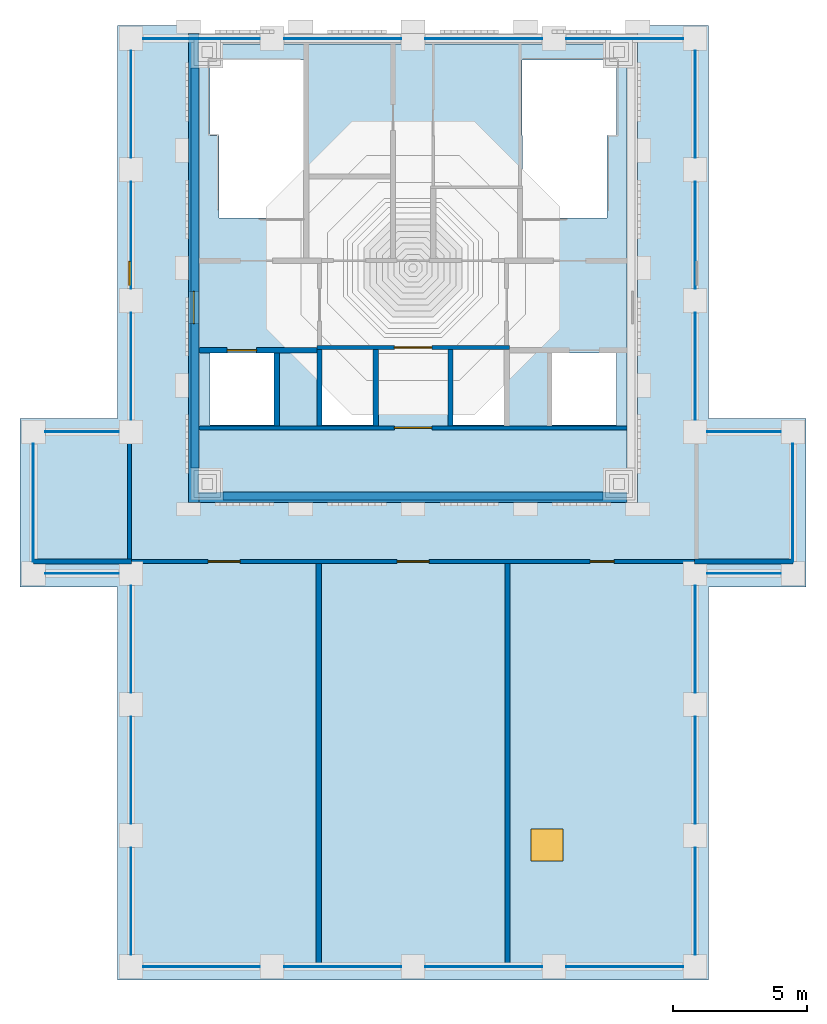
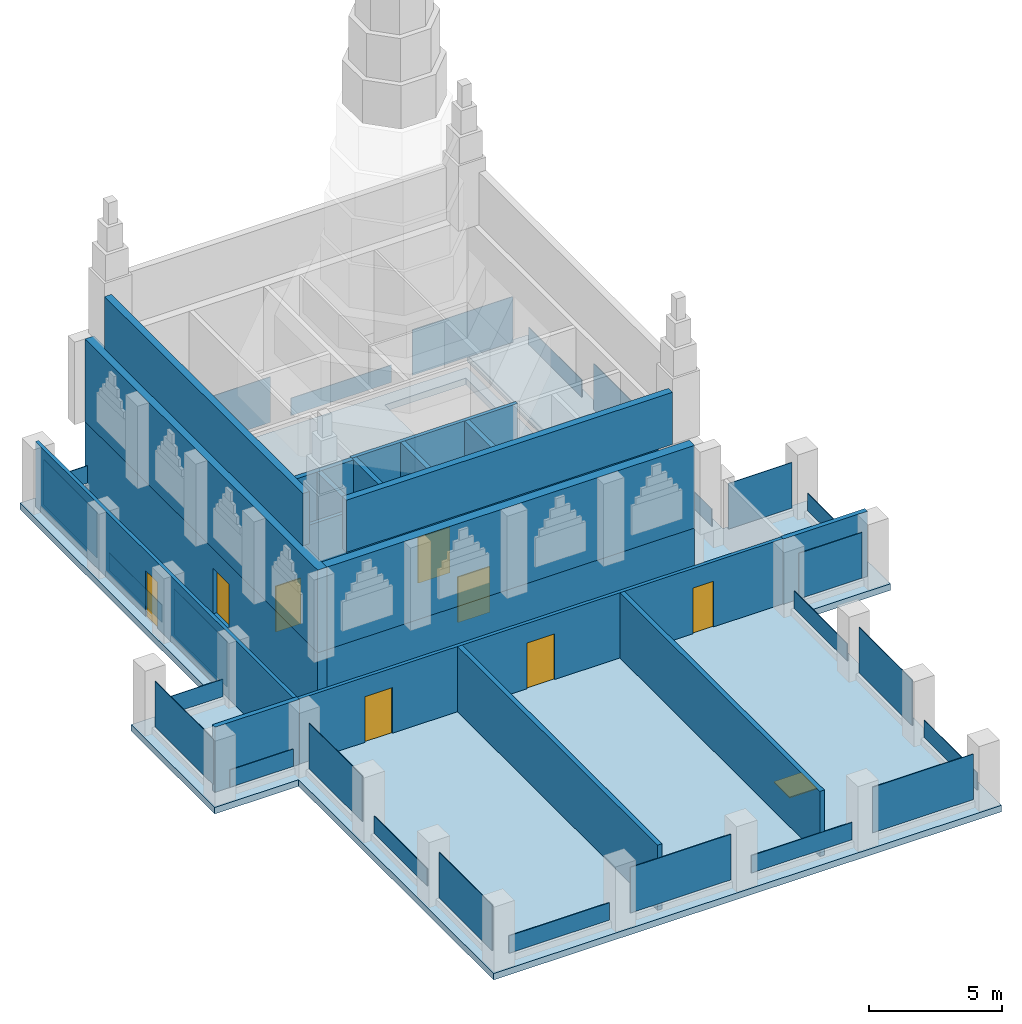
# One storey, part 1 of 6: 26 plates, 19 walls, 8 doors, 2 slabs, 1 window, 9 openings.
"""IFC4 building model written with IfcOpenShell, lengths in metres."""

from ifc_helpers import new_model, si_unit, direction, frame, frame_2d, origin, origin_2d, place, context, subcontext, project, spatial, polyline, rectangle, outline, extrude, material, layer, layer_set, type_object, element, fill, save


model = new_model("IFC4")

# Units and contexts
model_context = context("Model", 3, precision=1e-05, world=origin(), true_north=direction((0.0, 1.0)))
body_context = subcontext(model_context, "Body", "Model", "MODEL_VIEW")
ifc_project = project(units=[si_unit("LENGTHUNIT", "METRE"), si_unit("AREAUNIT", "SQUARE_METRE"), si_unit("VOLUMEUNIT", "CUBIC_METRE"), si_unit("PLANEANGLEUNIT", "RADIAN"), si_unit("MASSUNIT", "GRAM", prefix="KILO")], contexts=[model_context])

# Site, building, storey
site_placement = place(None, origin())
site = spatial("IfcSite", under=ifc_project, at=site_placement, CompositionType="ELEMENT")
building_placement = place(site_placement, origin())
building = spatial("IfcBuilding", under=site, at=building_placement, Name="Vermilion Ogive Tower", CompositionType="ELEMENT")
storey_placement = place(building_placement, frame((0.0, 0.0, 302.85009765625)))
storey = spatial("IfcBuildingStorey", under=building, at=storey_placement, Name="RF", CompositionType="ELEMENT", Elevation=302.85009765625)

# Slab
ifc_material_1 = material(Name="Concrete B40", Category="concrete")
ifc_layer_1 = layer(ifc_material_1, 0.300048828125)
ifc_layer_set_1 = layer_set([ifc_layer_1], Name="Core floor slab 300 B40")
slab_type_1 = type_object("IfcSlabType", Name="Core floor slab 300 B40", PredefinedType="FLOOR", material=ifc_layer_set_1)
slab_1_placement = place(storey_placement, frame((0.0, 0.0, -0.300048828125)))
element("IfcSlab", 1, at=slab_1_placement, inside=storey, type_object=slab_type_1, Name="RF-CK-FS1", PredefinedType="FLOOR", context=body_context, shape_type="SweptSolid", body=[
    extrude(outline(polyline([(7.99609375, 21.345947265625), (-7.99609375, 21.345947265625), (-7.99609375, 4.60400390625), (7.99609375, 4.60400390625), (7.99609375, 21.345947265625)]), holes=[polyline([(-7.60009765625, 9.800048828125), (-5.199951171875, 9.800048828125), (-5.199951171875, 7.10009765625), (-7.60009765625, 7.10009765625), (-7.60009765625, 9.800048828125)]), polyline([(5.199951171875, 9.800048828125), (7.60009765625, 9.800048828125), (7.60009765625, 7.10009765625), (5.199951171875, 7.10009765625), (5.199951171875, 9.800048828125)]), polyline([(-3.39990234375, 9.89990234375), (-1.5, 9.89990234375), (-1.5, 7.10009765625), (-3.39990234375, 7.10009765625), (-3.39990234375, 9.89990234375)]), polyline([(1.5, 9.89990234375), (3.39990234375, 9.89990234375), (3.39990234375, 7.10009765625), (1.5, 7.10009765625), (1.5, 9.89990234375)]), polyline([(0.85009765625, 15.89990234375), (3.89990234375, 15.89990234375), (3.89990234375, 13.35009765625), (0.85009765625, 13.35009765625), (0.85009765625, 15.89990234375)]), polyline([(-3.89990234375, 16.300048828125), (-0.85009765625, 16.300048828125), (-0.85009765625, 13.35009765625), (-3.89990234375, 13.35009765625), (-3.89990234375, 16.300048828125)]), polyline([(-4.10009765625, 20.75), (-4.10009765625, 14.85009765625), (-5.75, 14.85009765625), (-5.75, 14.85205078125), (-7.25, 14.85205078125), (-7.25, 17.929931640625), (-7.60009765625, 17.929931640625), (-7.60009765625, 20.75), (-4.10009765625, 20.75)]), polyline([(7.25, 17.929931640625), (7.25, 14.85205078125), (5.75, 14.85205078125), (5.75, 14.85009765625), (4.10009765625, 14.85009765625), (4.10009765625, 17.929931640625), (4.074951171875, 17.929931640625), (4.074951171875, 20.75), (7.60009765625, 20.75), (7.60009765625, 17.929931640625), (7.25, 17.929931640625)])]), origin(), (0.0, 0.0, 1.0), 0.300048828125),
])

# Plates
ifc_material_2 = material(Name="Laminated glass", Category="glass")
ifc_layer_2 = layer(ifc_material_2, 0.030029296875)
ifc_layer_set_2 = layer_set([ifc_layer_2], Name="Parapet glass plate 1100")
plate_type_1 = type_object("IfcPlateType", Name="Parapet glass plate 1100", PredefinedType="SHEET", material=ifc_layer_set_2)
plate_1_placement = place(storey_placement, frame((-10.550048828125, -5.800048828125, 0.2998046875), z_axis=(0.0, 0.0, 1.0), x_axis=(0.0, 1.0, 0.0)))
element("IfcPlate", 2, at=plate_1_placement, inside=storey, type_object=plate_type_1, Name="Parapet glass plate 1.2A", PredefinedType="SHEET", context=body_context, shape_type="SweptSolid", body=[
    extrude(rectangle(XDim=4.0, YDim=0.030029296875, at=origin_2d()), origin(), (0.0, 0.0, 1.0), 0.800048828125),
])
for number, where, z_axis, x_axis, name in (
    (3, (-12.375, 1.550048828125, 0.2998046875), (0.0, 0.0, 1.0), (-1.0, 0.0, 0.0), "Parapet glass plate 2.1A"),
    (4, (-12.375, 6.85009765625, 0.2998046875), (0.0, 0.0, 1.0), (1.0, 0.0, 0.0), "Parapet glass plate 4.1A"),
):
    element("IfcPlate", number, at=place(storey_placement, frame(where, z_axis=z_axis, x_axis=x_axis)), inside=storey, type_object=plate_type_1, Name=name, PredefinedType="SHEET", context=body_context, shape_type="SweptSolid", body=[
        extrude(rectangle(XDim=2.75, YDim=0.030029296875, at=origin_2d()), origin(), (0.0, 0.0, 1.0), 0.800048828125),
    ])
plate_2_placement = place(storey_placement, frame((-10.550048828125, 14.199951171875, 0.2998046875), z_axis=(0.0, 0.0, 1.0), x_axis=(0.0, 1.0, 0.0)))
element("IfcPlate", 5, at=plate_2_placement, inside=storey, type_object=plate_type_1, Name="Parapet glass plate 5.2A", PredefinedType="SHEET", context=body_context, shape_type="SweptSolid", body=[
    extrude(rectangle(XDim=4.0, YDim=0.030029296875, at=origin_2d()), origin(), (0.0, 0.0, 1.0), 0.800048828125),
])
for number, where, z_axis, x_axis, name in (
    (6, (-7.91259765625, 21.550048828125, 0.2998046875), (0.0, 0.0, 1.0), (1.0, 0.0, 0.0), "Parapet glass plate 6.1A"),
    (7, (2.637451171875, 21.550048828125, 0.2998046875), (0.0, 0.0, 1.0), (1.0, 0.0, 0.0), "Parapet glass plate 6.3A"),
):
    element("IfcPlate", number, at=place(storey_placement, frame(where, z_axis=z_axis, x_axis=x_axis)), inside=storey, type_object=plate_type_1, Name=name, PredefinedType="SHEET", context=body_context, shape_type="SweptSolid", body=[
        extrude(rectangle(XDim=4.375, YDim=0.030029296875, at=origin_2d()), origin(), (0.0, 0.0, 1.0), 0.800048828125),
    ])
for number, where, z_axis, x_axis, name in (
    (8, (10.550048828125, 19.10009765625, 0.2998046875), (0.0, 0.0, 1.0), (0.0, -1.0, 0.0), "Parapet glass plate 7.1A"),
    (9, (10.550048828125, 9.300048828125, 0.2998046875), (0.0, 0.0, 1.0), (0.0, -1.0, 0.0), "Parapet glass plate 7.3A"),
):
    element("IfcPlate", number, at=place(storey_placement, frame(where, z_axis=z_axis, x_axis=x_axis)), inside=storey, type_object=plate_type_1, Name=name, PredefinedType="SHEET", context=body_context, shape_type="SweptSolid", body=[
        extrude(rectangle(XDim=4.0, YDim=0.030029296875, at=origin_2d()), origin(), (0.0, 0.0, 1.0), 0.800048828125),
    ])
plate_3_placement = place(storey_placement, frame((14.199951171875, 4.199951171875, 0.2998046875), z_axis=(0.0, 0.0, 1.0), x_axis=(0.0, -1.0, 0.0)))
element("IfcPlate", 10, at=plate_3_placement, inside=storey, type_object=plate_type_1, Name="Parapet glass plate 9.1A", PredefinedType="SHEET", context=body_context, shape_type="SweptSolid", body=[
    extrude(rectangle(XDim=4.39990234375, YDim=0.030029296875, at=origin_2d()), origin(), (0.0, 0.0, 1.0), 0.800048828125),
])
for number, where, z_axis, x_axis, name in (
    (11, (10.550048828125, -0.89990234375, 0.2998046875), (0.0, 0.0, 1.0), (0.0, -1.0, 0.0), "Parapet glass plate 11.1A"),
    (12, (10.550048828125, -10.699951171875, 0.2998046875), (0.0, 0.0, 1.0), (0.0, -1.0, 0.0), "Parapet glass plate 11.3A"),
):
    element("IfcPlate", number, at=place(storey_placement, frame(where, z_axis=z_axis, x_axis=x_axis)), inside=storey, type_object=plate_type_1, Name=name, PredefinedType="SHEET", context=body_context, shape_type="SweptSolid", body=[
        extrude(rectangle(XDim=4.0, YDim=0.030029296875, at=origin_2d()), origin(), (0.0, 0.0, 1.0), 0.800048828125),
    ])
for number, where, z_axis, x_axis, name in (
    (13, (2.637451171875, -13.14990234375, 0.2998046875), (0.0, 0.0, 1.0), (-1.0, 0.0, 0.0), "Parapet glass plate 12.2A"),
    (14, (-7.91259765625, -13.14990234375, 0.2998046875), (0.0, 0.0, 1.0), (-1.0, 0.0, 0.0), "Parapet glass plate 12.4A"),
):
    element("IfcPlate", number, at=place(storey_placement, frame(where, z_axis=z_axis, x_axis=x_axis)), inside=storey, type_object=plate_type_1, Name=name, PredefinedType="SHEET", context=body_context, shape_type="SweptSolid", body=[
        extrude(rectangle(XDim=4.375, YDim=0.030029296875, at=origin_2d()), origin(), (0.0, 0.0, 1.0), 0.800048828125),
    ])
ifc_material_3 = material(Name="Laminated glass", Category="glass")
ifc_layer_3 = layer(ifc_material_3, 0.030029296875)
ifc_layer_set_3 = layer_set([ifc_layer_3], Name="Parapet glass plate 2400")
plate_type_2 = type_object("IfcPlateType", Name="Parapet glass plate 2400", PredefinedType="SHEET", material=ifc_layer_set_3)
for number, where, z_axis, x_axis, name in (
    (15, (-10.550048828125, -10.699951171875, 0.2998046875), (0.0, 0.0, 1.0), (0.0, 1.0, 0.0), "Parapet glass plate 1.1A"),
    (16, (-10.550048828125, -0.89990234375, 0.2998046875), (0.0, 0.0, 1.0), (0.0, 1.0, 0.0), "Parapet glass plate 1.3A"),
):
    element("IfcPlate", number, at=place(storey_placement, frame(where, z_axis=z_axis, x_axis=x_axis)), inside=storey, type_object=plate_type_2, Name=name, PredefinedType="SHEET", context=body_context, shape_type="SweptSolid", body=[
        extrude(rectangle(XDim=4.0, YDim=0.030029296875, at=origin_2d()), origin(), (0.0, 0.0, 1.0), 2.10009765625),
    ])
plate_4_placement = place(storey_placement, frame((-14.199951171875, 4.199951171875, 0.2998046875), z_axis=(0.0, 0.0, 1.0), x_axis=(0.0, 1.0, 0.0)))
element("IfcPlate", 17, at=plate_4_placement, inside=storey, type_object=plate_type_2, Name="Parapet glass plate 3.1A", PredefinedType="SHEET", context=body_context, shape_type="SweptSolid", body=[
    extrude(rectangle(XDim=4.39990234375, YDim=0.030029296875, at=origin_2d()), origin(), (0.0, 0.0, 1.0), 2.10009765625),
])
for number, where, z_axis, x_axis, name in (
    (18, (-10.550048828125, 9.300048828125, 0.2998046875), (0.0, 0.0, 1.0), (0.0, 1.0, 0.0), "Parapet glass plate 5.1A"),
    (19, (-10.550048828125, 19.10009765625, 0.2998046875), (0.0, 0.0, 1.0), (0.0, 1.0, 0.0), "Parapet glass plate 5.3A"),
):
    element("IfcPlate", number, at=place(storey_placement, frame(where, z_axis=z_axis, x_axis=x_axis)), inside=storey, type_object=plate_type_2, Name=name, PredefinedType="SHEET", context=body_context, shape_type="SweptSolid", body=[
        extrude(rectangle(XDim=4.0, YDim=0.030029296875, at=origin_2d()), origin(), (0.0, 0.0, 1.0), 2.10009765625),
    ])
for number, where, z_axis, x_axis, name in (
    (20, (-2.637451171875, 21.550048828125, 0.2998046875), (0.0, 0.0, 1.0), (1.0, 0.0, 0.0), "Parapet glass plate 6.2A"),
    (21, (7.91259765625, 21.550048828125, 0.2998046875), (0.0, 0.0, 1.0), (1.0, 0.0, 0.0), "Parapet glass plate 6.4A"),
):
    element("IfcPlate", number, at=place(storey_placement, frame(where, z_axis=z_axis, x_axis=x_axis)), inside=storey, type_object=plate_type_2, Name=name, PredefinedType="SHEET", context=body_context, shape_type="SweptSolid", body=[
        extrude(rectangle(XDim=4.375, YDim=0.030029296875, at=origin_2d()), origin(), (0.0, 0.0, 1.0), 2.10009765625),
    ])
plate_5_placement = place(storey_placement, frame((10.550048828125, 14.199951171875, 0.2998046875), z_axis=(0.0, 0.0, 1.0), x_axis=(0.0, -1.0, 0.0)))
element("IfcPlate", 22, at=plate_5_placement, inside=storey, type_object=plate_type_2, Name="Parapet glass plate 7.2A", PredefinedType="SHEET", context=body_context, shape_type="SweptSolid", body=[
    extrude(rectangle(XDim=4.0, YDim=0.030029296875, at=origin_2d()), origin(), (0.0, 0.0, 1.0), 2.10009765625),
])
for number, where, z_axis, x_axis, name in (
    (23, (12.375, 6.85009765625, 0.2998046875), (0.0, 0.0, 1.0), (1.0, 0.0, 0.0), "Parapet glass plate 8.1A"),
    (24, (12.375, 1.550048828125, 0.2998046875), (0.0, 0.0, 1.0), (-1.0, 0.0, 0.0), "Parapet glass plate 10.1A"),
):
    element("IfcPlate", number, at=place(storey_placement, frame(where, z_axis=z_axis, x_axis=x_axis)), inside=storey, type_object=plate_type_2, Name=name, PredefinedType="SHEET", context=body_context, shape_type="SweptSolid", body=[
        extrude(rectangle(XDim=2.75, YDim=0.030029296875, at=origin_2d()), origin(), (0.0, 0.0, 1.0), 2.10009765625),
    ])
plate_6_placement = place(storey_placement, frame((10.550048828125, -5.800048828125, 0.2998046875), z_axis=(0.0, 0.0, 1.0), x_axis=(0.0, -1.0, 0.0)))
element("IfcPlate", 25, at=plate_6_placement, inside=storey, type_object=plate_type_2, Name="Parapet glass plate 11.2A", PredefinedType="SHEET", context=body_context, shape_type="SweptSolid", body=[
    extrude(rectangle(XDim=4.0, YDim=0.030029296875, at=origin_2d()), origin(), (0.0, 0.0, 1.0), 2.10009765625),
])
for number, where, z_axis, x_axis, name in (
    (26, (7.91259765625, -13.14990234375, 0.2998046875), (0.0, 0.0, 1.0), (-1.0, 0.0, 0.0), "Parapet glass plate 12.1A"),
    (27, (-2.637451171875, -13.14990234375, 0.2998046875), (0.0, 0.0, 1.0), (-1.0, 0.0, 0.0), "Parapet glass plate 12.3A"),
):
    element("IfcPlate", number, at=place(storey_placement, frame(where, z_axis=z_axis, x_axis=x_axis)), inside=storey, type_object=plate_type_2, Name=name, PredefinedType="SHEET", context=body_context, shape_type="SweptSolid", body=[
        extrude(rectangle(XDim=4.375, YDim=0.030029296875, at=origin_2d()), origin(), (0.0, 0.0, 1.0), 2.10009765625),
    ])

# Slab, opening, window
ifc_material_4 = material(Name="Concrete B40", Category="concrete")
ifc_layer_4 = layer(ifc_material_4, 0.300048828125)
ifc_layer_set_4 = layer_set([ifc_layer_4], Name="Roof slab 300")
slab_type_2 = type_object("IfcSlabType", Name="Roof slab 300", PredefinedType="ROOF", material=ifc_layer_set_4)
slab_2_placement = place(storey_placement, frame((0.0, 0.0, -0.300048828125)))
slab_2 = element("IfcSlab", 28, at=slab_2_placement, inside=storey, type_object=slab_type_2, Name="RF-SL-1", PredefinedType="ROOF", context=body_context, shape_type="SweptSolid", body=[
    extrude(outline(polyline([(-11.050048828125, 1.050048828125), (-14.699951171875, 1.050048828125), (-14.699951171875, 7.35009765625), (-11.050048828125, 7.35009765625), (-11.050048828125, 22.050048828125), (-8.39990234375, 22.050048828125), (-8.39990234375, 4.199951171875), (8.39990234375, 4.199951171875), (8.39990234375, 22.050048828125), (11.050048828125, 22.050048828125), (11.050048828125, 7.35009765625), (14.699951171875, 7.35009765625), (14.699951171875, 1.050048828125), (11.050048828125, 1.050048828125), (11.050048828125, -13.64990234375), (-11.050048828125, -13.64990234375), (-11.050048828125, 1.050048828125)])), origin(), (0.0, 0.0, 1.0), 0.300048828125),
])
opening_1_placement = place(slab_2_placement, frame((5.0, -8.60009765625, 0.0)))
opening_1 = element("IfcOpeningElement", 29, at=opening_1_placement, cuts=slab_2, Name="Opening RH-1", PredefinedType="OPENING", context=body_context, shape_type="SweptSolid", body=[
    extrude(rectangle(XDim=1.199951171875, YDim=1.199951171875, at=origin_2d()), origin(), (0.0, 0.0, 1.0), 0.300048828125),
])
ifc_material_5 = material(Name="Aluminium framed double glazing", Category="aluminium")
window_type = type_object("IfcWindowType", Name="Roof hatch", PartitioningType="SINGLE_PANEL", PredefinedType="SKYLIGHT", material=ifc_material_5)
window_placement = place(opening_1_placement, frame((0.0, 0.0, 0.25)))
window = element("IfcWindow", 30, at=window_placement, inside=storey, type_object=window_type, Name="Roof hatch 1", OverallHeight=1.199951171875, OverallWidth=1.199951171875, PartitioningType="SINGLE_PANEL", PredefinedType="SKYLIGHT", context=body_context, shape_type="SweptSolid", body=[
    extrude(rectangle(XDim=1.199951171875, YDim=1.199951171875, at=origin_2d()), origin(), (0.0, 0.0, 1.0), 0.050048828125),
])
fill(opening_1, window)

# Wall, opening, door
ifc_material_6 = material(Name="Concrete B60", Category="concrete")
ifc_layer_5 = layer(ifc_material_6, 0.39990234375)
ifc_layer_set_5 = layer_set([ifc_layer_5], Name="Core wall 400 B60")
wall_type_1 = type_object("IfcWallType", Name="Core wall 400 B60", PredefinedType="SHEAR", material=ifc_layer_set_5)
wall_1_placement = place(storey_placement, frame((-8.199951171875, 4.199951171875, -0.300048828125), z_axis=(0.0, 0.0, 1.0), x_axis=(0.0, 1.0, 0.0)))
wall_1 = element("IfcWall", 31, at=wall_1_placement, inside=storey, type_object=wall_type_1, Name="RF-CORE-W", PredefinedType="SHEAR", context=body_context, shape_type="SweptSolid", body=[
    extrude(rectangle(XDim=17.550048828125, YDim=0.39990234375, at=frame_2d((8.77490234375, 0.0))), origin(), (0.0, 0.0, 1.0), 3.300048828125),
])
opening_2_placement = place(wall_1_placement, frame((6.699951171875, 0.0, 0.300048828125)))
opening_2 = element("IfcOpeningElement", 32, at=opening_2_placement, cuts=wall_1, Name="Opening DCA001", PredefinedType="OPENING", context=body_context, shape_type="SweptSolid", body=[
    extrude(rectangle(XDim=1.199951171875, YDim=2.10009765625, at=frame_2d((0.60009765625, 1.050048828125))), frame((0.0, 0.2099609375, 0.0), z_axis=(0.0, -1.0, 0.0), x_axis=(1.0, 0.0, 0.0)), (0.0, 0.0, 1.0), 0.419921875),
])
ifc_material_7 = material(Name="Timber door leaf", Category="wood")
door_type_1 = type_object("IfcDoorType", Name="Link door 1200 x 2100 FD60S", OperationType="SINGLE_SWING_LEFT", PredefinedType="DOOR", material=ifc_material_7)
door_1_placement = place(opening_2_placement, origin())
door_1 = element("IfcDoor", 33, at=door_1_placement, inside=storey, type_object=door_type_1, Name="RF-CK-XD1", OperationType="SINGLE_SWING_LEFT", OverallHeight=2.10009765625, OverallWidth=1.199951171875, PredefinedType="DOOR", context=body_context, shape_type="SweptSolid", body=[
    extrude(rectangle(XDim=1.199951171875, YDim=2.10009765625, at=frame_2d((0.60009765625, 1.050048828125))), frame((0.0, 0.02490234375, 0.0), z_axis=(0.0, -1.0, 0.0), x_axis=(1.0, 0.0, 0.0)), (0.0, 0.0, 1.0), 0.050048828125),
])
fill(opening_2, door_1)

# Walls
wall_2_placement = place(storey_placement, frame((-8.0, 4.39990234375, -0.300048828125), z_axis=(0.0, 0.0, 1.0), x_axis=(1.0, 0.0, 0.0)))
element("IfcWall", 34, at=wall_2_placement, inside=storey, type_object=wall_type_1, Name="RF-CORE-S", PredefinedType="SHEAR", context=body_context, shape_type="SweptSolid", body=[
    extrude(rectangle(XDim=16.0, YDim=0.39990234375, at=frame_2d((8.0, 0.0))), origin(), (0.0, 0.0, 1.0), 3.300048828125),
])
wall_3_placement = place(storey_placement, frame((-8.0, 4.39990234375, 3.0), z_axis=(0.0, 0.0, 1.0), x_axis=(1.0, 0.0, 0.0)))
element("IfcWall", 35, at=wall_3_placement, inside=storey, type_object=wall_type_1, Name="RF-HH-S", PredefinedType="SHEAR", context=body_context, shape_type="SweptSolid", body=[
    extrude(rectangle(XDim=16.0, YDim=0.39990234375, at=frame_2d((8.0, 0.0))), origin(), (0.0, 0.0, 1.0), 3.7998046875),
])
wall_4_placement = place(storey_placement, frame((-8.199951171875, 4.199951171875, 3.0), z_axis=(0.0, 0.0, 1.0), x_axis=(0.0, 1.0, 0.0)))
element("IfcWall", 36, at=wall_4_placement, inside=storey, type_object=wall_type_1, Name="RF-HH-W", PredefinedType="SHEAR", context=body_context, shape_type="SweptSolid", body=[
    extrude(rectangle(XDim=17.550048828125, YDim=0.39990234375, at=frame_2d((8.77490234375, 0.0))), origin(), (0.0, 0.0, 1.0), 3.7998046875),
])
ifc_material_8 = material(Name="Concrete B40", Category="concrete")
ifc_layer_6 = layer(ifc_material_8, 0.300048828125)
ifc_layer_set_6 = layer_set([ifc_layer_6], Name="Head-house parapet")
wall_type_2 = type_object("IfcWallType", Name="Head-house parapet", PredefinedType="PARAPET", material=ifc_layer_set_6)
wall_5_placement = place(storey_placement, frame((-7.10009765625, 4.449951171875, 7.099853515625), z_axis=(0.0, 0.0, 1.0), x_axis=(1.0, 0.0, 0.0)))
element("IfcWall", 37, at=wall_5_placement, inside=storey, type_object=wall_type_2, Name="Head-house parapet south", PredefinedType="PARAPET", context=body_context, shape_type="SweptSolid", body=[
    extrude(rectangle(XDim=14.2001953125, YDim=0.300048828125, at=frame_2d((7.10009765625, 0.0))), origin(), (0.0, 0.0, 1.0), 2.400146484375),
])
wall_6_placement = place(storey_placement, frame((-8.14990234375, 5.5, 7.099853515625), z_axis=(0.0, 0.0, 1.0), x_axis=(0.0, 1.0, 0.0)))
element("IfcWall", 38, at=wall_6_placement, inside=storey, type_object=wall_type_2, Name="Head-house parapet west", PredefinedType="PARAPET", context=body_context, shape_type="SweptSolid", body=[
    extrude(rectangle(XDim=14.949951171875, YDim=0.300048828125, at=frame_2d((7.47509765625, 0.0))), origin(), (0.0, 0.0, 1.0), 2.400146484375),
])

# Wall, openings, doors
ifc_material_9 = material(Name="Gypsum board partition on steel studs", Category="steel")
ifc_layer_7 = layer(ifc_material_9, 0.14990234375)
ifc_layer_set_7 = layer_set([ifc_layer_7], Name="Partition 150 corridor")
wall_type_3 = type_object("IfcWallType", Name="Partition 150 corridor", PredefinedType="PARTITIONING", material=ifc_layer_set_7)
wall_7_placement = place(storey_placement, frame((-10.675048828125, 2.0, 0.0), z_axis=(0.0, 0.0, 1.0), x_axis=(1.0, 0.0, 0.0)))
wall_7 = element("IfcWall", 39, at=wall_7_placement, inside=storey, type_object=wall_type_3, Name="RF-FS-W-W002", PredefinedType="PARTITIONING", context=body_context, shape_type="SweptSolid", body=[
    extrude(rectangle(XDim=21.35009765625, YDim=0.14990234375, at=frame_2d((10.675048828125, 0.0))), origin(), (0.0, 0.0, 1.0), 3.0),
])
opening_3_placement = place(wall_7_placement, frame((3.008544921875, 0.0, 0.0)))
opening_3 = element("IfcOpeningElement", 40, at=opening_3_placement, cuts=wall_7, Name="Opening DBG003", PredefinedType="OPENING", context=body_context, shape_type="SweptSolid", body=[
    extrude(rectangle(XDim=1.199951171875, YDim=2.10009765625, at=frame_2d((0.60009765625, 1.050048828125))), frame((0.0, 0.0849609375, 0.0), z_axis=(0.0, -1.0, 0.0), x_axis=(1.0, 0.0, 0.0)), (0.0, 0.0, 1.0), 0.169921875),
])
opening_4_placement = place(wall_7_placement, frame((10.074951171875, 0.0, 0.0)))
opening_4 = element("IfcOpeningElement", 41, at=opening_4_placement, cuts=wall_7, Name="Opening DBG004", PredefinedType="OPENING", context=body_context, shape_type="SweptSolid", body=[
    extrude(rectangle(XDim=1.199951171875, YDim=2.10009765625, at=frame_2d((0.60009765625, 1.050048828125))), frame((0.0, 0.0849609375, 0.0), z_axis=(0.0, -1.0, 0.0), x_axis=(1.0, 0.0, 0.0)), (0.0, 0.0, 1.0), 0.169921875),
])
opening_5_placement = place(wall_7_placement, frame((17.29150390625, 0.0, 0.0)))
opening_5 = element("IfcOpeningElement", 42, at=opening_5_placement, cuts=wall_7, Name="Opening DBG005", PredefinedType="OPENING", context=body_context, shape_type="SweptSolid", body=[
    extrude(rectangle(XDim=0.89990234375, YDim=2.10009765625, at=frame_2d((0.449951171875, 1.050048828125))), frame((0.0, 0.0849609375, 0.0), z_axis=(0.0, -1.0, 0.0), x_axis=(1.0, 0.0, 0.0)), (0.0, 0.0, 1.0), 0.169921875),
])
ifc_material_10 = material(Name="Timber door leaf", Category="wood")
door_type_2 = type_object("IfcDoorType", Name="Room door 1200 x 2100 FD30", OperationType="SINGLE_SWING_LEFT", PredefinedType="DOOR", material=ifc_material_10)
door_2_placement = place(opening_3_placement, origin())
door_2 = element("IfcDoor", 43, at=door_2_placement, inside=storey, type_object=door_type_2, Name="RF-FS-D-D003", OperationType="SINGLE_SWING_RIGHT", OverallHeight=2.10009765625, OverallWidth=1.199951171875, PredefinedType="DOOR", context=body_context, shape_type="SweptSolid", body=[
    extrude(rectangle(XDim=1.199951171875, YDim=2.10009765625, at=frame_2d((0.60009765625, 1.050048828125))), frame((0.0, 0.02490234375, 0.0), z_axis=(0.0, -1.0, 0.0), x_axis=(1.0, 0.0, 0.0)), (0.0, 0.0, 1.0), 0.050048828125),
])
fill(opening_3, door_2)
door_3_placement = place(opening_4_placement, origin())
door_3 = element("IfcDoor", 44, at=door_3_placement, inside=storey, type_object=door_type_2, Name="RF-FS-D-D004", OperationType="SINGLE_SWING_RIGHT", OverallHeight=2.10009765625, OverallWidth=1.199951171875, PredefinedType="DOOR", context=body_context, shape_type="SweptSolid", body=[
    extrude(rectangle(XDim=1.199951171875, YDim=2.10009765625, at=frame_2d((0.60009765625, 1.050048828125))), frame((0.0, 0.02490234375, 0.0), z_axis=(0.0, -1.0, 0.0), x_axis=(1.0, 0.0, 0.0)), (0.0, 0.0, 1.0), 0.050048828125),
])
fill(opening_4, door_3)
ifc_material_11 = material(Name="Timber door leaf", Category="wood")
door_type_3 = type_object("IfcDoorType", Name="Room door 900 x 2100 FD30", OperationType="SINGLE_SWING_LEFT", PredefinedType="DOOR", material=ifc_material_11)
door_4_placement = place(opening_5_placement, origin())
door_4 = element("IfcDoor", 45, at=door_4_placement, inside=storey, type_object=door_type_3, Name="RF-FS-D-D005", OperationType="SINGLE_SWING_LEFT", OverallHeight=2.10009765625, OverallWidth=0.89990234375, PredefinedType="DOOR", context=body_context, shape_type="SweptSolid", body=[
    extrude(rectangle(XDim=0.89990234375, YDim=2.10009765625, at=frame_2d((0.449951171875, 1.050048828125))), frame((0.0, 0.02490234375, 0.0), z_axis=(0.0, -1.0, 0.0), x_axis=(1.0, 0.0, 0.0)), (0.0, 0.0, 1.0), 0.050048828125),
])
fill(opening_5, door_4)

# Wall, opening, door
wall_8_placement = place(storey_placement, frame((-10.60009765625, 2.10009765625, 0.0), z_axis=(0.0, 0.0, 1.0), x_axis=(0.0, 1.0, 0.0)))
wall_8 = element("IfcWall", 46, at=wall_8_placement, inside=storey, type_object=wall_type_3, Name="RF-FS-W-W004", PredefinedType="PARTITIONING", context=body_context, shape_type="SweptSolid", body=[
    extrude(rectangle(XDim=19.449951171875, YDim=0.14990234375, at=frame_2d((9.72509765625, 0.0))), origin(), (0.0, 0.0, 1.0), 3.0),
])
opening_6_placement = place(wall_8_placement, frame((10.224853515625, 0.0, 0.0)))
opening_6 = element("IfcOpeningElement", 47, at=opening_6_placement, cuts=wall_8, Name="Opening DBG001", PredefinedType="OPENING", context=body_context, shape_type="SweptSolid", body=[
    extrude(rectangle(XDim=0.89990234375, YDim=2.10009765625, at=frame_2d((0.449951171875, 1.050048828125))), frame((0.0, 0.0849609375, 0.0), z_axis=(0.0, -1.0, 0.0), x_axis=(1.0, 0.0, 0.0)), (0.0, 0.0, 1.0), 0.169921875),
])
door_5_placement = place(opening_6_placement, origin())
door_5 = element("IfcDoor", 48, at=door_5_placement, inside=storey, type_object=door_type_3, Name="RF-FS-D-D001", OperationType="SINGLE_SWING_LEFT", OverallHeight=2.10009765625, OverallWidth=0.89990234375, PredefinedType="DOOR", context=body_context, shape_type="SweptSolid", body=[
    extrude(rectangle(XDim=0.89990234375, YDim=2.10009765625, at=frame_2d((0.449951171875, 1.050048828125))), frame((0.0, 0.02490234375, 0.0), z_axis=(0.0, -1.0, 0.0), x_axis=(1.0, 0.0, 0.0)), (0.0, 0.0, 1.0), 0.050048828125),
])
fill(opening_6, door_5)

wall_9_placement = place(storey_placement, frame((-7.9990234375, 7.0, 0.0), z_axis=(0.0, 0.0, 1.0), x_axis=(1.0, 0.0, 0.0)))
wall_9 = element("IfcWall", 49, at=wall_9_placement, inside=storey, type_object=wall_type_3, Name="RF-CK-W-W001", PredefinedType="PARTITIONING", context=body_context, shape_type="SweptSolid", body=[
    extrude(rectangle(XDim=15.998046875, YDim=0.14990234375, at=frame_2d((7.9990234375, 0.0))), origin(), (0.0, 0.0, 1.0), 6.7998046875),
])
opening_7_placement = place(wall_9_placement, frame((7.299072265625, 0.0, 0.0)))
opening_7 = element("IfcOpeningElement", 50, at=opening_7_placement, cuts=wall_9, Name="Opening DAQ003", PredefinedType="OPENING", context=body_context, shape_type="SweptSolid", body=[
    extrude(rectangle(XDim=1.39990234375, YDim=2.10009765625, at=frame_2d((0.699951171875, 1.050048828125))), frame((0.0, 0.0849609375, 0.0), z_axis=(0.0, -1.0, 0.0), x_axis=(1.0, 0.0, 0.0)), (0.0, 0.0, 1.0), 0.169921875),
])
ifc_material_12 = material(Name="Timber door leaf", Category="wood")
door_type_4 = type_object("IfcDoorType", Name="Lobby door 1400 x 2100 FD60S", OperationType="SINGLE_SWING_LEFT", PredefinedType="DOOR", material=ifc_material_12)
door_6_placement = place(opening_7_placement, origin())
door_6 = element("IfcDoor", 51, at=door_6_placement, inside=storey, type_object=door_type_4, Name="RF-CK-D-D005", OperationType="SINGLE_SWING_RIGHT", OverallHeight=2.10009765625, OverallWidth=1.39990234375, PredefinedType="DOOR", context=body_context, shape_type="SweptSolid", body=[
    extrude(rectangle(XDim=1.39990234375, YDim=2.10009765625, at=frame_2d((0.699951171875, 1.050048828125))), frame((0.0, 0.02490234375, 0.0), z_axis=(0.0, -1.0, 0.0), x_axis=(1.0, 0.0, 0.0)), (0.0, 0.0, 1.0), 0.050048828125),
])
fill(opening_7, door_6)

wall_10_placement = place(storey_placement, frame((-3.60009765625, 10.0, 0.0), z_axis=(0.0, 0.0, 1.0), x_axis=(1.0, 0.0, 0.0)))
wall_10 = element("IfcWall", 52, at=wall_10_placement, inside=storey, type_object=wall_type_3, Name="RF-CK-W-W004", PredefinedType="PARTITIONING", context=body_context, shape_type="SweptSolid", body=[
    extrude(rectangle(XDim=7.2001953125, YDim=0.14990234375, at=frame_2d((3.60009765625, 0.0))), origin(), (0.0, 0.0, 1.0), 6.7998046875),
])
opening_8_placement = place(wall_10_placement, frame((2.900146484375, 0.0, 0.0)))
opening_8 = element("IfcOpeningElement", 53, at=opening_8_placement, cuts=wall_10, Name="Opening DAQ004", PredefinedType="OPENING", context=body_context, shape_type="SweptSolid", body=[
    extrude(rectangle(XDim=1.39990234375, YDim=2.10009765625, at=frame_2d((0.699951171875, 1.050048828125))), frame((0.0, 0.0849609375, 0.0), z_axis=(0.0, -1.0, 0.0), x_axis=(1.0, 0.0, 0.0)), (0.0, 0.0, 1.0), 0.169921875),
])
door_7_placement = place(opening_8_placement, origin())
door_7 = element("IfcDoor", 54, at=door_7_placement, inside=storey, type_object=door_type_4, Name="RF-CK-D-D006", OperationType="SINGLE_SWING_RIGHT", OverallHeight=2.10009765625, OverallWidth=1.39990234375, PredefinedType="DOOR", context=body_context, shape_type="SweptSolid", body=[
    extrude(rectangle(XDim=1.39990234375, YDim=2.10009765625, at=frame_2d((0.699951171875, 1.050048828125))), frame((0.0, 0.02490234375, 0.0), z_axis=(0.0, -1.0, 0.0), x_axis=(1.0, 0.0, 0.0)), (0.0, 0.0, 1.0), 0.050048828125),
])
fill(opening_8, door_7)

# Walls
ifc_material_13 = material(Name="Gypsum board partition on steel studs", Category="steel")
ifc_layer_8 = layer(ifc_material_13, 0.199951171875)
ifc_layer_set_8 = layer_set([ifc_layer_8], Name="Partition 200 party")
wall_type_4 = type_object("IfcWallType", Name="Partition 200 party", PredefinedType="PARTITIONING", material=ifc_layer_set_8)
for number, where, z_axis, x_axis, name in (
    (55, (-14.199951171875, 2.0, 0.0), (0.0, 0.0, 1.0), (1.0, 0.0, 0.0), "RF-FS-W-W001"),
    (56, (10.52490234375, 2.0, 0.0), (0.0, 0.0, 1.0), (1.0, 0.0, 0.0), "RF-FS-W-W003"),
):
    element("IfcWall", number, at=place(storey_placement, frame(where, z_axis=z_axis, x_axis=x_axis)), inside=storey, type_object=wall_type_4, Name=name, PredefinedType="PARTITIONING", context=body_context, shape_type="SweptSolid", body=[
        extrude(rectangle(XDim=3.675048828125, YDim=0.199951171875, at=frame_2d((1.83740234375, 0.0))), origin(), (0.0, 0.0, 1.0), 3.0),
    ])
for number, where, z_axis, x_axis, name in (
    (57, (-3.532958984375, -13.14990234375, 0.0), (0.0, 0.0, 1.0), (0.0, 1.0, 0.0), "RF-FS-W-W005"),
    (58, (3.532958984375, -13.14990234375, 0.0), (0.0, 0.0, 1.0), (0.0, 1.0, 0.0), "RF-FS-W-W006"),
):
    element("IfcWall", number, at=place(storey_placement, frame(where, z_axis=z_axis, x_axis=x_axis)), inside=storey, type_object=wall_type_4, Name=name, PredefinedType="PARTITIONING", context=body_context, shape_type="SweptSolid", body=[
        extrude(rectangle(XDim=15.074951171875, YDim=0.199951171875, at=frame_2d((7.53759765625, 0.0))), origin(), (0.0, 0.0, 1.0), 3.0),
    ])

# Wall, opening, door
wall_11_placement = place(storey_placement, frame((-7.9990234375, 9.89990234375, 0.0), z_axis=(0.0, 0.0, 1.0), x_axis=(1.0, 0.0, 0.0)))
wall_11 = element("IfcWall", 59, at=wall_11_placement, inside=storey, type_object=wall_type_4, Name="RF-CK-W-W002", PredefinedType="PARTITIONING", context=body_context, shape_type="SweptSolid", body=[
    extrude(rectangle(XDim=4.39892578125, YDim=0.199951171875, at=frame_2d((2.199462890625, 0.0))), origin(), (0.0, 0.0, 1.0), 6.7998046875),
])
opening_9_placement = place(wall_11_placement, frame((1.049072265625, 0.0, 0.0)))
opening_9 = element("IfcOpeningElement", 60, at=opening_9_placement, cuts=wall_11, Name="Opening DAQ010", PredefinedType="OPENING", context=body_context, shape_type="SweptSolid", body=[
    extrude(rectangle(XDim=1.10009765625, YDim=2.10009765625, at=frame_2d((0.550048828125, 1.050048828125))), frame((0.0, 0.10986328125, 0.0), z_axis=(0.0, -1.0, 0.0), x_axis=(1.0, 0.0, 0.0)), (0.0, 0.0, 1.0), 0.219970703125),
])
ifc_material_14 = material(Name="Stainless steel", Category="steel")
door_type_5 = type_object("IfcDoorType", Name="Lift landing door 1100 x 2100", OperationType="SLIDING_TO_LEFT", PredefinedType="DOOR", material=ifc_material_14)
door_8_placement = place(opening_9_placement, origin())
door_8 = element("IfcDoor", 61, at=door_8_placement, inside=storey, type_object=door_type_5, Name="RF-CK-D-D002", OperationType="SLIDING_TO_LEFT", OverallHeight=2.10009765625, OverallWidth=1.10009765625, PredefinedType="DOOR", context=body_context, shape_type="SweptSolid", body=[
    extrude(rectangle(XDim=1.10009765625, YDim=2.10009765625, at=frame_2d((0.550048828125, 1.050048828125))), frame((0.0, 0.02490234375, 0.0), z_axis=(0.0, -1.0, 0.0), x_axis=(1.0, 0.0, 0.0)), (0.0, 0.0, 1.0), 0.050048828125),
])
fill(opening_9, door_8)

# Walls
wall_12_placement = place(storey_placement, frame((-5.10009765625, 7.074951171875, 0.0), z_axis=(0.0, 0.0, 1.0), x_axis=(0.0, 1.0, 0.0)))
element("IfcWall", 62, at=wall_12_placement, inside=storey, type_object=wall_type_4, Name="RF-CK-W-W010", PredefinedType="PARTITIONING", context=body_context, shape_type="SweptSolid", body=[
    extrude(rectangle(XDim=2.72509765625, YDim=0.199951171875, at=frame_2d((1.362548828125, 0.0))), origin(), (0.0, 0.0, 1.0), 6.7998046875),
])
for number, where, z_axis, x_axis, name in (
    (63, (-3.5, 7.074951171875, 0.0), (0.0, 0.0, 1.0), (0.0, 1.0, 0.0), "RF-CK-W-W012"),
    (64, (-1.39990234375, 7.074951171875, 0.0), (0.0, 0.0, 1.0), (0.0, 1.0, 0.0), "RF-CK-W-W014"),
    (65, (1.39990234375, 7.074951171875, 0.0), (0.0, 0.0, 1.0), (0.0, 1.0, 0.0), "RF-CK-W-W018"),
):
    element("IfcWall", number, at=place(storey_placement, frame(where, z_axis=z_axis, x_axis=x_axis)), inside=storey, type_object=wall_type_4, Name=name, PredefinedType="PARTITIONING", context=body_context, shape_type="SweptSolid", body=[
        extrude(rectangle(XDim=2.85009765625, YDim=0.199951171875, at=frame_2d((1.425048828125, 0.0))), origin(), (0.0, 0.0, 1.0), 6.7998046875),
    ])

save(model, "model.ifc")
